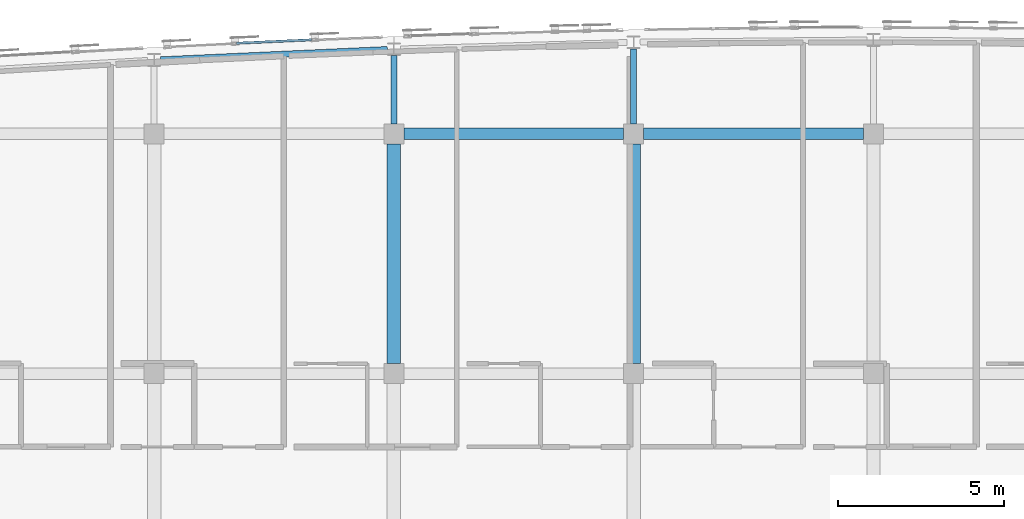
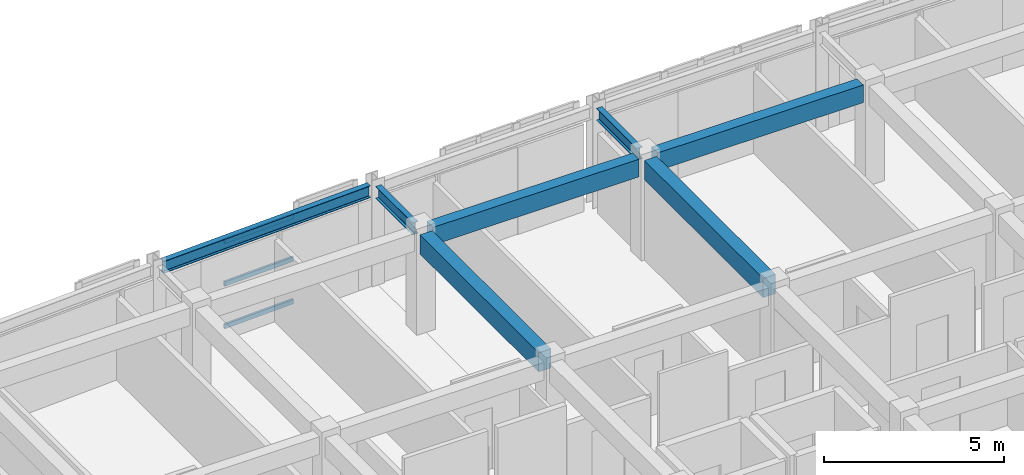
# One storey, part 13 of 41: 7 beams, 3 members, 1 element without a shape of its own.
"""IFC4 building model written with IfcOpenShell, lengths in metres."""

from ifc_helpers import new_model, si_unit, direction, frame, origin, origin_2d, place, context, subcontext, project, spatial, rectangle, hollow_rectangle, i_section, extrude, material, layer, layer_set, material_profile, profile_set, type_object, element, aggregate, save


model = new_model("IFC4")

# Units and contexts
model_context = context("Model", 3, precision=1e-05, world=origin(), true_north=direction((0.0, 1.0)))
body_context = subcontext(model_context, "Body", "Model", "MODEL_VIEW")
ifc_project = project(units=[si_unit("LENGTHUNIT", "METRE"), si_unit("AREAUNIT", "SQUARE_METRE"), si_unit("VOLUMEUNIT", "CUBIC_METRE"), si_unit("PLANEANGLEUNIT", "RADIAN"), si_unit("MASSUNIT", "GRAM", prefix="KILO")], contexts=[model_context])

# Site, building, storey
site_placement = place(None, origin())
site = spatial("IfcSite", under=ifc_project, at=site_placement, CompositionType="ELEMENT")
building_placement = place(site_placement, origin())
building = spatial("IfcBuilding", under=site, at=building_placement, Name="Carrowvane Square Congress Hotel", CompositionType="ELEMENT")
storey_placement = place(building_placement, frame((0.0, 0.0, 37.199951171875)))
storey = spatial("IfcBuildingStorey", under=building, at=storey_placement, Name="L09", CompositionType="ELEMENT", Elevation=37.199951171875)

# Beams
ifc_material_1 = material(Name="Concrete C35/45", Category="concrete")
ifc_material_profile_1 = material_profile(ifc_material_1, rectangle(XDim=0.35009765625, YDim=0.60009765625, at=origin_2d()), Name="RC 350x600")
ifc_profile_set_1 = profile_set([ifc_material_profile_1], Name="Concrete C35/45")
beam_type_1 = type_object("IfcBeamType", Name="BM-RC-350x600", PredefinedType="BEAM", material=ifc_profile_set_1)
beam_1_placement = place(storey_placement, frame((83.89990234375, 113.39990234375, 3.080078125), z_axis=(1.0, 0.0, 0.0), x_axis=(0.0, 1.0, 0.0)))
element("IfcBeam", 1, at=beam_1_placement, inside=storey, type_object=beam_type_1, Name="L10 girder R/11-12", PredefinedType="BEAM", context=body_context, shape_type="SweptSolid", body=[
    extrude(rectangle(XDim=0.35009765625, YDim=0.60009765625, at=origin_2d()), origin(), (0.0, 0.0, 1.0), 6.60009765625),
])
beam_2_placement = place(storey_placement, frame((91.10009765625, 113.39990234375, 3.080078125), z_axis=(1.0, 0.0, 0.0), x_axis=(0.0, 1.0, 0.0)))
element("IfcBeam", 2, at=beam_2_placement, inside=storey, type_object=beam_type_1, Name="L10 girder R/12-13", PredefinedType="BEAM", context=body_context, shape_type="SweptSolid", body=[
    extrude(rectangle(XDim=0.35009765625, YDim=0.60009765625, at=origin_2d()), origin(), (0.0, 0.0, 1.0), 6.599853515625),
])
ifc_material_2 = material(Name="Concrete C35/45", Category="concrete")
ifc_material_profile_2 = material_profile(ifc_material_2, rectangle(XDim=0.39990234375, YDim=0.64990234375, at=origin_2d()), Name="RC 400x650")
ifc_profile_set_2 = profile_set([ifc_material_profile_2], Name="Concrete C35/45")
beam_type_2 = type_object("IfcBeamType", Name="BM-RC-400x650", PredefinedType="BEAM", material=ifc_profile_set_2)
for number, where, z_axis, x_axis, name in (
    (3, (83.60009765625, 106.5, 3.054931640625), (0.0, 1.0, 0.0), (-1.0, 0.0, 0.0), "L10 girder 11/Q-R"),
    (4, (90.800048828125, 106.5, 3.054931640625), (0.0, 1.0, 0.0), (-1.0, 0.0, 0.0), "L10 girder 12/Q-R"),
):
    element("IfcBeam", number, at=place(storey_placement, frame(where, z_axis=z_axis, x_axis=x_axis)), inside=storey, type_object=beam_type_2, Name=name, PredefinedType="BEAM", context=body_context, shape_type="SweptSolid", body=[
        extrude(rectangle(XDim=0.39990234375, YDim=0.64990234375, at=origin_2d()), origin(), (0.0, 0.0, 1.0), 6.60009765625),
    ])
ifc_material_3 = material(Name="Steel S355", Category="steel")
ifc_material_profile_3 = material_profile(ifc_material_3, i_section(OverallWidth=0.1787109375, OverallDepth=0.409423828125, WebThickness=0.0087890625, FlangeThickness=0.014404296875, FilletRadius=0.01025390625, at=origin_2d()), Name="UKB 406x178x67")
ifc_profile_set_3 = profile_set([ifc_material_profile_3], Name="Steel S355")
beam_type_3 = type_object("IfcBeamType", Name="BM-ST-UKB406", PredefinedType="BEAM", material=ifc_profile_set_3)
beam_3_placement = place(storey_placement, frame((76.59716796875, 115.62646484375, 3.17529296875), z_axis=(0.99897355857, 0.045297122185, 0.0), x_axis=(-0.045297122185, 0.99897355857, 0.0)))
element("IfcBeam", 5, at=beam_3_placement, inside=storey, type_object=beam_type_3, Name="L10 curved north spandrel", PredefinedType="BEAM", context=body_context, shape_type="SweptSolid", body=[
    extrude(i_section(OverallWidth=0.1787109375, OverallDepth=0.409423828125, WebThickness=0.0087890625, FlangeThickness=0.014404296875, FilletRadius=0.01025390625, at=origin_2d()), origin(), (0.0, 0.0, 1.0), 6.812744140625),
])
beam_4_placement = place(storey_placement, frame((83.60009765625, 113.699951171875, 3.17529296875), z_axis=(0.0, 1.0, 0.0), x_axis=(-1.0, 0.0, 0.0)))
element("IfcBeam", 6, at=beam_4_placement, inside=storey, type_object=beam_type_3, Name="L10 radial north beam 11", PredefinedType="BEAM", context=body_context, shape_type="SweptSolid", body=[
    extrude(i_section(OverallWidth=0.1787109375, OverallDepth=0.409423828125, WebThickness=0.0087890625, FlangeThickness=0.014404296875, FilletRadius=0.01025390625, at=origin_2d()), origin(), (0.0, 0.0, 1.0), 2.046630859375),
])
beam_5_placement = place(storey_placement, frame((90.800048828125, 113.699951171875, 3.17529296875), z_axis=(0.0, 1.0, 0.0), x_axis=(-1.0, 0.0, 0.0)))
element("IfcBeam", 7, at=beam_5_placement, inside=storey, type_object=beam_type_3, Name="L10 radial north beam 12", PredefinedType="BEAM", context=body_context, shape_type="SweptSolid", body=[
    extrude(i_section(OverallWidth=0.1787109375, OverallDepth=0.409423828125, WebThickness=0.0087890625, FlangeThickness=0.014404296875, FilletRadius=0.01025390625, at=origin_2d()), origin(), (0.0, 0.0, 1.0), 2.25244140625),
])

# Curtain wall, members
ifc_material_4 = material(Name="Anodised aluminium", Category="aluminium")
ifc_layer = layer(ifc_material_4, 0.197998046875)
ifc_layer_set = layer_set([ifc_layer], Name="Anodised aluminium")
curtain_wall_type = type_object("IfcCurtainWallType", Name="CW-SYS-4", PredefinedType="NOTDEFINED", material=ifc_layer_set)
curtain_wall_placement = place(storey_placement, origin())
curtain_wall = element("IfcCurtainWall", 8, at=curtain_wall_placement, inside=storey, type_object=curtain_wall_type, Name="L09 unitised curtain wall 523", PredefinedType="NOTDEFINED")
ifc_material_5 = material(Name="Anodised aluminium", Category="aluminium")
ifc_material_profile_4 = material_profile(ifc_material_5, hollow_rectangle(XDim=0.070068359375, YDim=0.14990234375, WallThickness=0.0048828125, at=origin_2d()), Name="CW-TR 70x150x5")
ifc_profile_set_4 = profile_set([ifc_material_profile_4], Name="Anodised aluminium")
member_type = type_object("IfcMemberType", Name="CW-TRN-2", PredefinedType="USERDEFINED", material=ifc_profile_set_4)
member_1_placement = place(storey_placement, frame((78.869873046875, 116.12158203125, 0.03515625), z_axis=(0.998967650095, 0.045427239219, 0.0), x_axis=(-0.045427239219, 0.998967650095, 0.0)))
member_1 = element("IfcMember", 9, at=member_1_placement, type_object=member_type, Name="CW-4 transom 1.1", ObjectType="TRANSOM", PredefinedType="USERDEFINED", context=body_context, shape_type="SweptSolid", body=[
    extrude(hollow_rectangle(XDim=0.070068359375, YDim=0.14990234375, WallThickness=0.0048828125, at=origin_2d()), origin(), (0.0, 0.0, 1.0), 2.2626953125),
])
member_2_placement = place(storey_placement, frame((78.869873046875, 116.12158203125, 1.477783203125), z_axis=(0.998967650095, 0.045427239219, 0.0), x_axis=(-0.045427239219, 0.998967650095, 0.0)))
member_2 = element("IfcMember", 10, at=member_2_placement, type_object=member_type, Name="CW-4 transom 1.2", ObjectType="TRANSOM", PredefinedType="USERDEFINED", context=body_context, shape_type="SweptSolid", body=[
    extrude(hollow_rectangle(XDim=0.070068359375, YDim=0.14990234375, WallThickness=0.0048828125, at=origin_2d()), origin(), (0.0, 0.0, 1.0), 2.2626953125),
])
member_3_placement = place(storey_placement, frame((78.869873046875, 116.12158203125, 2.920654296875), z_axis=(0.998967650095, 0.045427239219, 0.0), x_axis=(-0.045427239219, 0.998967650095, 0.0)))
member_3 = element("IfcMember", 11, at=member_3_placement, type_object=member_type, Name="CW-4 transom 1.3", ObjectType="TRANSOM", PredefinedType="USERDEFINED", context=body_context, shape_type="SweptSolid", body=[
    extrude(hollow_rectangle(XDim=0.070068359375, YDim=0.14990234375, WallThickness=0.0048828125, at=origin_2d()), origin(), (0.0, 0.0, 1.0), 2.2626953125),
])
aggregate(curtain_wall, [member_1, member_2, member_3])

save(model, "model.ifc")
